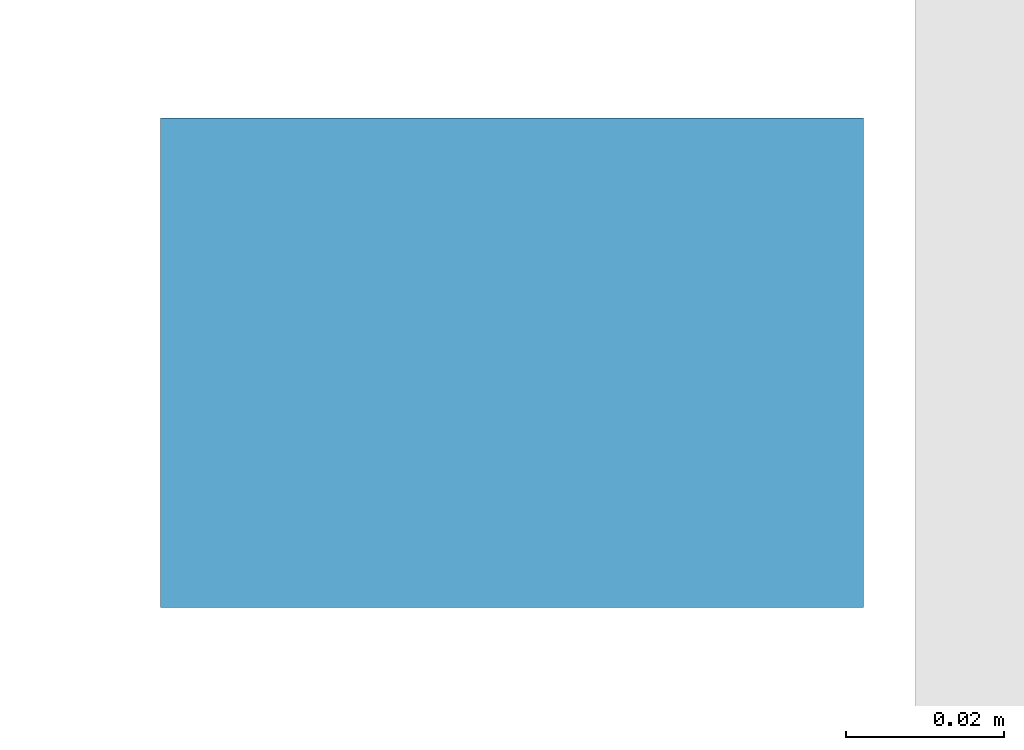
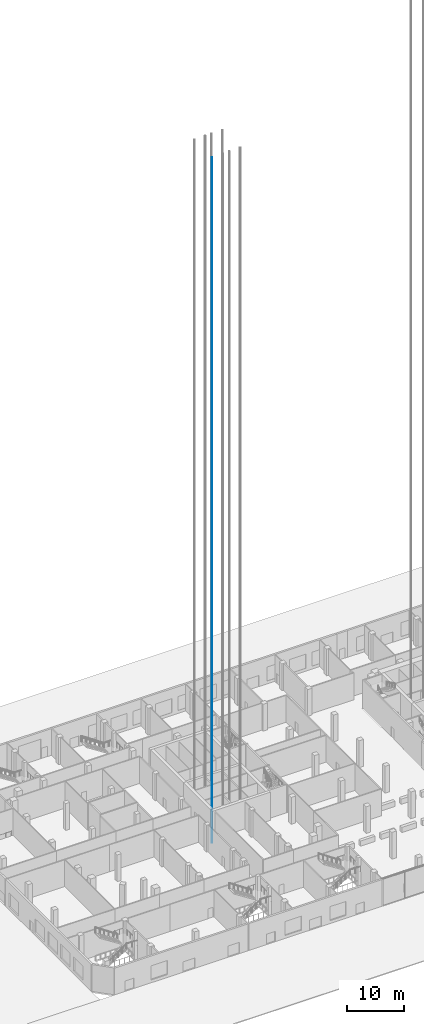
# One storey, part 2 of 55: 1 member.
"""IFC4 building model written with IfcOpenShell, lengths in metres."""

from ifc_helpers import new_model, si_unit, direction, frame, origin, origin_2d, place, context, subcontext, project, spatial, rectangle, extrude, material, material_profile, profile_set, type_object, element, save


model = new_model("IFC4")

# Units and contexts
model_context = context("Model", 3, precision=1e-05, world=origin(), true_north=direction((0.0, 1.0)))
body_context = subcontext(model_context, "Body", "Model", "MODEL_VIEW")
ifc_project = project(units=[si_unit("LENGTHUNIT", "METRE"), si_unit("AREAUNIT", "SQUARE_METRE"), si_unit("VOLUMEUNIT", "CUBIC_METRE"), si_unit("PLANEANGLEUNIT", "RADIAN"), si_unit("MASSUNIT", "GRAM", prefix="KILO")], contexts=[model_context])

# Site, building, storey
site_placement = place(None, origin())
site = spatial("IfcSite", under=ifc_project, at=site_placement, CompositionType="ELEMENT")
building_placement = place(site_placement, origin())
building = spatial("IfcBuilding", under=site, at=building_placement, Name="Cinnabar Reach Civic Tower", CompositionType="ELEMENT")
storey_placement = place(building_placement, origin())
storey = spatial("IfcBuildingStorey", under=building, at=storey_placement, Name="L00", CompositionType="ELEMENT", Elevation=0.0)

# Member
ifc_material = material(Name="Steel Q355B", Category="steel")
ifc_material_profile = material_profile(ifc_material, rectangle(XDim=0.089, YDim=0.062, at=origin_2d()), Name="T89")
ifc_profile_set = profile_set([ifc_material_profile], Name="Steel Q355B")
member_type = type_object("IfcMemberType", Name="Lift guide rail T89", PredefinedType="MEMBER", material=ifc_profile_set)
member_placement = place(storey_placement, frame((-41.351, 22.7, -2.5), z_axis=(0.0, 0.0, 1.0), x_axis=(1.0, 0.0, 0.0)))
element("IfcMember", 1, at=member_placement, inside=storey, type_object=member_type, Name="Lift guide rail 1", PredefinedType="MEMBER", context=body_context, shape_type="SweptSolid", body=[
    extrude(rectangle(XDim=0.089, YDim=0.062, at=origin_2d()), origin(), (0.0, 0.0, 1.0), 146.05),
])

save(model, "model.ifc")
